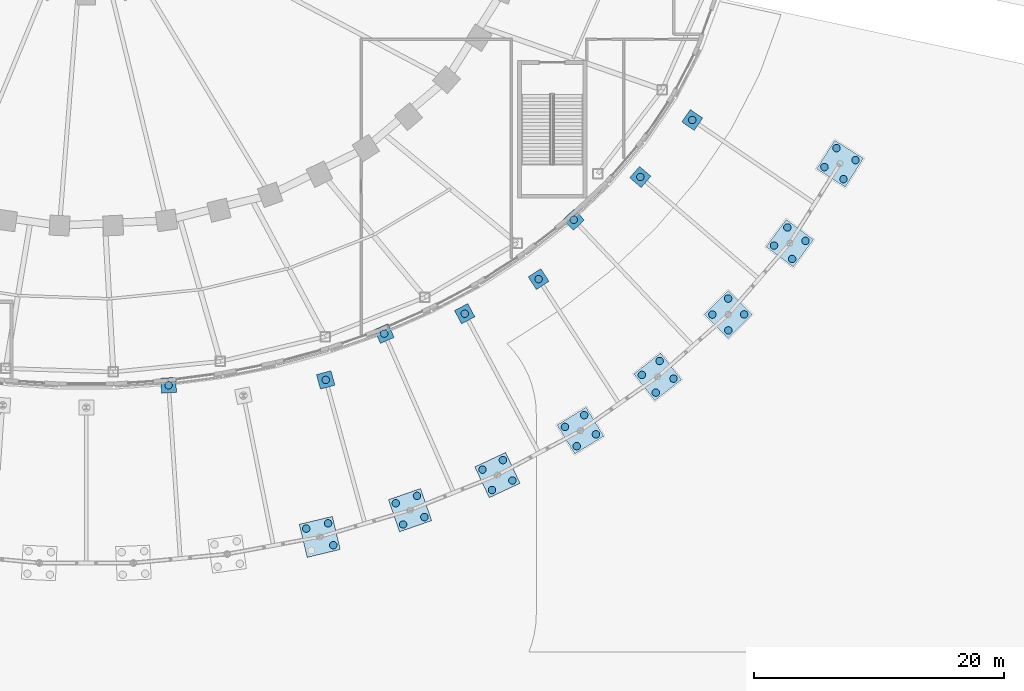
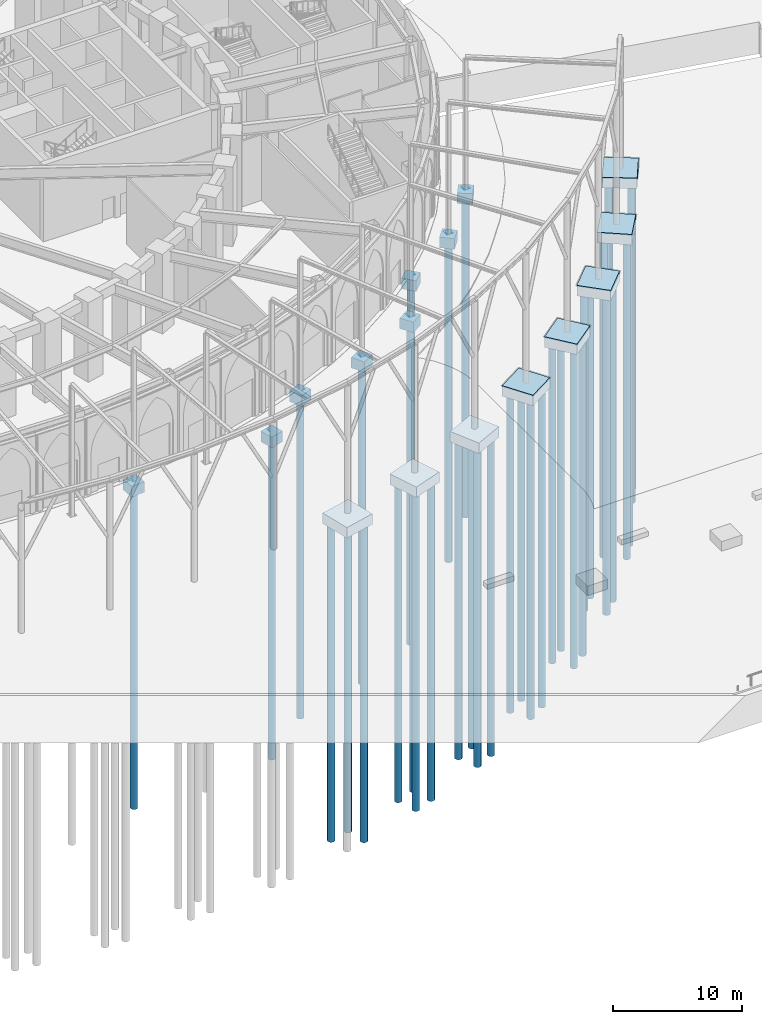
# One storey, part 2 of 79: 39 piles, 16 footings.
"""IFC4 building model written with IfcOpenShell, lengths in metres."""

import ifcopenshell
import ifcopenshell.guid

model = None  # the IFC model being written
_history = None  # IfcOwnerHistory: only IFC2X3 demands one
_inside = {}  # id of a spatial element -> (the spatial element, [elements in it])
_under = {}  # id of a project, library or spatial element -> (it, [spatial elements below it])
_declared = {}  # id of a project -> (the project, [libraries it declares])
_typed = {}  # id of a type object -> (the type object, [elements of that type])
_made_of = {}  # id of a material, layer set ... -> (it, [elements and type objects made of it])


def new_model(schema):
    """Start an empty IFC model of exactly this schema.

    Asked for "IFC4X3", IfcOpenShell would pick the latest addendum, in which some entities
    have other attributes; the version numbers below select the first issue.
    IFC2X3 requires an IfcOwnerHistory on every rooted entity: one is made here for all.
    """
    global model, _history
    if schema == "IFC4X3":
        model = ifcopenshell.file(schema_version=(4, 3, 0, 0))
    else:
        model = ifcopenshell.file(schema=schema)
    _inside.clear()
    _under.clear()
    _declared.clear()
    _typed.clear()
    _made_of.clear()
    _history = None
    if model.schema == "IFC2X3":
        org = make("IfcOrganization", Name="unknown")
        user = make(
            "IfcPersonAndOrganization",
            ThePerson=make("IfcPerson", FamilyName="unknown"),
            TheOrganization=org,
        )
        app = make(
            "IfcApplication",
            ApplicationDeveloper=org,
            Version="unknown",
            ApplicationFullName="unknown",
            ApplicationIdentifier="unknown",
        )
        _history = make(
            "IfcOwnerHistory",
            OwningUser=user,
            OwningApplication=app,
            ChangeAction="ADDED",
            CreationDate=0,
        )
    return model


def make(cls, **values):
    """One entity of the class cls with the attributes given. An attribute that is None is left unset."""
    return model.create_entity(
        cls, **{name: value for name, value in values.items() if value is not None}
    )


def rooted(cls, **values):
    """An entity with a GlobalId (a new one), such as an element, a storey or a relation."""
    return make(cls, GlobalId=ifcopenshell.guid.new(), OwnerHistory=_history, **values)


def si_unit(unit_type, name, prefix=None):
    """IfcSIUnit, for example si_unit("LENGTHUNIT", "METRE", prefix="MILLI")."""
    return make("IfcSIUnit", UnitType=unit_type, Prefix=prefix, Name=name)


def assignment(units):
    """IfcUnitAssignment: the units of a project."""
    return None if units is None else make("IfcUnitAssignment", Units=units)


def point(xyz):
    """IfcCartesianPoint."""
    return None if xyz is None else make("IfcCartesianPoint", Coordinates=xyz)


def direction(xyz):
    """IfcDirection."""
    return None if xyz is None else make("IfcDirection", DirectionRatios=xyz)


def frame(location, z_axis=None, x_axis=None):
    """IfcAxis2Placement3D, a coordinate frame: its origin and axes. An axis left out is left unset."""
    return make(
        "IfcAxis2Placement3D",
        Location=point(location),
        Axis=direction(z_axis),
        RefDirection=direction(x_axis),
    )


def frame_2d(location, x_axis=None):
    """IfcAxis2Placement2D, a coordinate frame in the plane: its origin and x axis."""
    return make(
        "IfcAxis2Placement2D", Location=point(location), RefDirection=direction(x_axis)
    )


def origin():
    """The frame at (0, 0, 0) with its axes left unset."""
    return frame((0.0, 0.0, 0.0))


def origin_2d():
    """The frame at (0, 0) in the plane with its x axis left unset."""
    return frame_2d((0.0, 0.0))


def place(relative_to, where):
    """IfcLocalPlacement: puts the frame where relative to a parent placement (None: the world)."""
    return make(
        "IfcLocalPlacement", PlacementRelTo=relative_to, RelativePlacement=where
    )


def context(
    kind, dimensions, precision=None, world=None, true_north=None, identifier=None
):
    """IfcGeometricRepresentationContext, for example the 3D "Model" context."""
    return make(
        "IfcGeometricRepresentationContext",
        ContextIdentifier=identifier,
        ContextType=kind,
        CoordinateSpaceDimension=dimensions,
        Precision=precision,
        WorldCoordinateSystem=world,
        TrueNorth=true_north,
    )


def subcontext(parent, identifier, kind, view, scale=None):
    """IfcGeometricRepresentationSubContext, for example "Body" below "Model"."""
    return make(
        "IfcGeometricRepresentationSubContext",
        ContextIdentifier=identifier,
        ContextType=kind,
        ParentContext=parent,
        TargetScale=scale,
        TargetView=view,
    )


def project(units=None, contexts=None):
    """IfcProject with its units and contexts."""
    return rooted(
        "IfcProject",
        Name="project",
        RepresentationContexts=contexts,
        UnitsInContext=assignment(units),
    )


def spatial(cls, under=None, at=None, **own):
    """A site, building, storey or space (cls), placed at a placement, below another one or the project."""
    s = rooted(cls, ObjectPlacement=at, **own)
    if under is not None:
        _under.setdefault(under.id(), (under, []))[1].append(s)
    return s


def polyline(points):
    """IfcPolyline through the points."""
    return make("IfcPolyline", Points=[point(p) for p in points])


def profile(cls, at=None, kind="AREA", **sizes):
    """A parametric profile (cls). Its sizes go by their IFC names, for example OverallWidth=200.0."""
    return make(cls, ProfileType=kind, Position=at, **sizes)


def circle(**sizes):
    """IfcCircleProfileDef."""
    return profile("IfcCircleProfileDef", **sizes)


def outline(outer, holes=None, kind="AREA"):
    """IfcArbitraryClosedProfileDef: a profile drawn as a closed curve; with holes, ...WithVoids."""
    if holes is None:
        return make("IfcArbitraryClosedProfileDef", ProfileType=kind, OuterCurve=outer)
    return make(
        "IfcArbitraryProfileDefWithVoids",
        ProfileType=kind,
        OuterCurve=outer,
        InnerCurves=holes,
    )


def extrude(swept, where, along, depth):
    """IfcExtrudedAreaSolid: the profile swept, set in the frame where, extruded along a direction by depth."""
    return make(
        "IfcExtrudedAreaSolid",
        SweptArea=swept,
        Position=where,
        ExtrudedDirection=direction(along),
        Depth=depth,
    )


def shape(context_of_items, identifier, shape_type, items):
    """IfcShapeRepresentation: the items that make up one representation, for example the "Body"."""
    return make(
        "IfcShapeRepresentation",
        ContextOfItems=context_of_items,
        RepresentationIdentifier=identifier,
        RepresentationType=shape_type,
        Items=items,
    )


def material(Name=None, Category=None):
    """IfcMaterial."""
    return make("IfcMaterial", Name=Name, Category=Category)


def layer(
    of_material, thickness, ventilated=None, Name=None, Category=None, Priority=None
):
    """IfcMaterialLayer: one layer of a wall or slab, of a material (None: an air gap)."""
    return make(
        "IfcMaterialLayer",
        Material=of_material,
        LayerThickness=thickness,
        IsVentilated=ventilated,
        Name=Name,
        Category=Category,
        Priority=Priority,
    )


def layer_set(layers, Name=None):
    """IfcMaterialLayerSet."""
    return make("IfcMaterialLayerSet", MaterialLayers=layers, LayerSetName=Name)


def material_profile(
    of_material, cross_section, Name=None, Category=None, Priority=None
):
    """IfcMaterialProfile: a cross section and its material."""
    return make(
        "IfcMaterialProfile",
        Name=Name,
        Material=of_material,
        Profile=cross_section,
        Priority=Priority,
        Category=Category,
    )


def profile_set(profiles, Name=None, composite=None):
    """IfcMaterialProfileSet."""
    return make(
        "IfcMaterialProfileSet",
        Name=Name,
        MaterialProfiles=profiles,
        CompositeProfile=composite,
    )


def made_of(thing, what):
    """Note that an element or type object is made of a material, layer set ...; save() writes the relation."""
    if what is not None:
        _made_of.setdefault(what.id(), (what, []))[1].append(thing)
    return thing


def type_object(cls, material=None, **own):
    """A type object (cls), such as IfcWallType, which elements share."""
    return made_of(rooted(cls, **own), material)


def element(
    cls,
    number,
    at=None,
    inside=None,
    cuts=None,
    type_object=None,
    material=None,
    context=None,
    identifier="Body",
    shape_type=None,
    held_by="IfcProductDefinitionShape",
    body=None,
    shapes=None,
    **own,
):
    """One element of the class cls, such as IfcWall. Its Tag is "e" and its number.

    at: its placement. inside: the storey or other place that contains it. cuts: it is an
    opening in that element (IfcRelVoidsElement). A single representation is given by context,
    identifier, shape_type and body (its items); several are given by shapes. held_by: the class
    of the entity that holds the representations. save() writes the other relations.
    """
    e = rooted(cls, Tag="e%d" % number, ObjectPlacement=at, **own)
    if body is not None:
        shapes = [shape(context, identifier, shape_type, body)]
    if shapes is not None:
        e.Representation = make(held_by, Representations=shapes)
    if inside is not None:
        _inside.setdefault(inside.id(), (inside, []))[1].append(e)
    if cuts is not None:
        rooted(
            "IfcRelVoidsElement", RelatingBuildingElement=cuts, RelatedOpeningElement=e
        )
    if type_object is not None:
        _typed.setdefault(type_object.id(), (type_object, []))[1].append(e)
    return made_of(e, material)


def aggregate(whole, parts):
    """IfcRelAggregates: a whole, such as a stair, and the parts it consists of."""
    return rooted("IfcRelAggregates", RelatingObject=whole, RelatedObjects=parts)


def save(model, path):
    """Write the relations noted so far, then the file.

    IfcRelAggregates (storeys below a building ...), IfcRelContainedInSpatialStructure (elements
    in a storey), IfcRelDefinesByType, IfcRelAssociatesMaterial and IfcRelDeclares: one each for
    every whole, place, type object, material and project.
    """
    for whole, parts in _under.values():
        aggregate(whole, parts)
    for where, things in _inside.values():
        rooted(
            "IfcRelContainedInSpatialStructure",
            RelatedElements=things,
            RelatingStructure=where,
        )
    for kind, things in _typed.values():
        rooted("IfcRelDefinesByType", RelatedObjects=things, RelatingType=kind)
    for what, things in _made_of.values():
        rooted("IfcRelAssociatesMaterial", RelatedObjects=things, RelatingMaterial=what)
    for by, libraries in _declared.values():
        rooted("IfcRelDeclares", RelatingContext=by, RelatedDefinitions=libraries)
    model.write(path)


model = new_model("IFC4")

# Units and contexts
model_context = context("Model", 3, precision=1e-05, world=origin(), true_north=direction((0.0, 1.0)))
body_context = subcontext(model_context, "Body", "Model", "MODEL_VIEW")
ifc_project = project(units=[si_unit("LENGTHUNIT", "METRE"), si_unit("AREAUNIT", "SQUARE_METRE"), si_unit("VOLUMEUNIT", "CUBIC_METRE"), si_unit("PLANEANGLEUNIT", "RADIAN"), si_unit("MASSUNIT", "GRAM", prefix="KILO")], contexts=[model_context])

# Site, building, storey
site_placement = place(None, origin())
site = spatial("IfcSite", under=ifc_project, at=site_placement, CompositionType="ELEMENT")
building_placement = place(site_placement, origin())
building = spatial("IfcBuilding", under=site, at=building_placement, Name="Noorbagh Ring Tower", CompositionType="ELEMENT")
storey_placement = place(building_placement, origin())
storey = spatial("IfcBuildingStorey", under=building, at=storey_placement, Name="L00", CompositionType="ELEMENT", Elevation=0.0)

# Footings
ifc_material_1 = material(Name="Concrete C50/60", Category="concrete")
ifc_layer_1 = layer(ifc_material_1, 1.0)
ifc_layer_set_1 = layer_set([ifc_layer_1], Name="Concrete C50/60")
footing_type_1 = type_object("IfcFootingType", Name="GND-CANOPY-CAP", PredefinedType="PILE_CAP", material=ifc_layer_set_1)
footing_1_placement = place(storey_placement, frame((0.0, 0.0, -1.14990234375)))
element("IfcFooting", 1, at=footing_1_placement, inside=storey, type_object=footing_type_1, Name="Canopy trunk 13 cap", PredefinedType="PILE_CAP", context=body_context, shape_type="SweptSolid", body=[
    extrude(outline(polyline([(17.671142578125, -53.448486328125), (20.316162109375, -52.813720703125), (19.681396484375, -50.168701171875), (17.03662109375, -50.803466796875), (17.671142578125, -53.448486328125)])), origin(), (0.0, 0.0, 1.0), 1.0),
])
footing_2_placement = place(storey_placement, frame((0.0, 0.0, -1.14990234375)))
element("IfcFooting", 2, at=footing_2_placement, inside=storey, type_object=footing_type_1, Name="Canopy trunk 14 cap", PredefinedType="PILE_CAP", context=body_context, shape_type="SweptSolid", body=[
    extrude(outline(polyline([(25.0634765625, -51.402587890625), (27.63232421875, -50.5087890625), (26.73876953125, -47.93994140625), (24.169677734375, -48.833740234375), (25.0634765625, -51.402587890625)])), origin(), (0.0, 0.0, 1.0), 1.0),
])
footing_3_placement = place(storey_placement, frame((0.0, 0.0, -1.14990234375)))
element("IfcFooting", 3, at=footing_3_placement, inside=storey, type_object=footing_type_1, Name="Canopy trunk 15 cap", PredefinedType="PILE_CAP", context=body_context, shape_type="SweptSolid", body=[
    extrude(outline(polyline([(32.23486328125, -48.670654296875), (34.699462890625, -47.52001953125), (33.548828125, -45.055419921875), (31.084228515625, -46.2060546875), (32.23486328125, -48.670654296875)])), origin(), (0.0, 0.0, 1.0), 1.0),
])
footing_4_placement = place(storey_placement, frame((0.0, 0.0, -1.14990234375)))
element("IfcFooting", 4, at=footing_4_placement, inside=storey, type_object=footing_type_1, Name="Canopy trunk 16 cap", PredefinedType="PILE_CAP", context=body_context, shape_type="SweptSolid", body=[
    extrude(outline(polyline([(39.08447265625, -45.177001953125), (41.4033203125, -43.755126953125), (39.981201171875, -41.4365234375), (37.66259765625, -42.8583984375), (39.08447265625, -45.177001953125)])), origin(), (0.0, 0.0, 1.0), 1.0),
])
footing_5_placement = place(storey_placement, frame((0.0, 0.0, -1.14990234375)))
element("IfcFooting", 5, at=footing_5_placement, inside=storey, type_object=footing_type_1, Name="Canopy trunk 17 cap", PredefinedType="PILE_CAP", context=body_context, shape_type="SweptSolid", body=[
    extrude(outline(polyline([(45.48388671875, -40.910400390625), (47.62255859375, -39.229736328125), (45.94189453125, -37.09130859375), (43.80322265625, -38.77197265625), (45.48388671875, -40.910400390625)])), origin(), (0.0, 0.0, 1.0), 1.0),
])
footing_6_placement = place(storey_placement, frame((0.0, 0.0, -1.14990234375)))
element("IfcFooting", 6, at=footing_6_placement, inside=storey, type_object=footing_type_1, Name="Canopy trunk 18 cap", PredefinedType="PILE_CAP", context=body_context, shape_type="SweptSolid", body=[
    extrude(outline(polyline([(51.367919921875, -35.9375), (53.280517578125, -34.003173828125), (51.34619140625, -32.0908203125), (49.433837890625, -34.025146484375), (51.367919921875, -35.9375)])), origin(), (0.0, 0.0, 1.0), 1.0),
])
footing_7_placement = place(storey_placement, frame((0.0, 0.0, -1.14990234375)))
element("IfcFooting", 7, at=footing_7_placement, inside=storey, type_object=footing_type_1, Name="Canopy trunk 19 cap", PredefinedType="PILE_CAP", context=body_context, shape_type="SweptSolid", body=[
    extrude(outline(polyline([(56.562255859375, -30.2158203125), (58.181640625, -28.0302734375), (55.99609375, -26.410888671875), (54.376708984375, -28.596435546875), (56.562255859375, -30.2158203125)])), origin(), (0.0, 0.0, 1.0), 1.0),
])
footing_8_placement = place(storey_placement, frame((0.0, 0.0, -1.14990234375)))
element("IfcFooting", 8, at=footing_8_placement, inside=storey, type_object=footing_type_1, Name="Canopy trunk 20 cap", PredefinedType="PILE_CAP", context=body_context, shape_type="SweptSolid", body=[
    extrude(outline(polyline([(60.72216796875, -23.822509765625), (62.173828125, -21.5224609375), (59.873779296875, -20.07080078125), (58.422119140625, -22.370849609375), (60.72216796875, -23.822509765625)])), origin(), (0.0, 0.0, 1.0), 1.0),
])

# Piles
ifc_material_2 = material(Name="Concrete C50/60", Category="concrete")
ifc_material_profile = material_profile(ifc_material_2, circle(Radius=0.300048828125, at=origin_2d()), Name="PILE600")
ifc_profile_set = profile_set([ifc_material_profile], Name="Concrete C50/60")
pile_type = type_object("IfcPileType", Name="GND-CANOPY-PILE", PredefinedType="BORED", material=ifc_profile_set)
for number, where, z_axis, x_axis, name in (
    (9, (19.761474609375, -52.473876953125, -1.050048828125), (0.0, 0.0, -1.0), (1.0, 0.0, 0.0), "L00/pile/CT13-2"),
    (10, (19.341552734375, -50.723388671875, -1.050048828125), (0.0, 0.0, -1.0), (1.0, 0.0, 0.0), "L00/pile/CT13-3"),
    (11, (17.59130859375, -51.143310546875, -1.050048828125), (0.0, 0.0, -1.0), (1.0, 0.0, 0.0), "L00/pile/CT13-4"),
    (12, (25.3466796875, -50.81689453125, -1.050048828125), (0.0, 0.0, -1.0), (1.0, 0.0, 0.0), "L00/pile/CT14-1"),
    (13, (27.046875, -50.2255859375, -1.050048828125), (0.0, 0.0, -1.0), (1.0, 0.0, 0.0), "L00/pile/CT14-2"),
    (14, (26.455322265625, -48.525390625, -1.050048828125), (0.0, 0.0, -1.0), (1.0, 0.0, 0.0), "L00/pile/CT14-3"),
    (15, (24.75537109375, -49.116943359375, -1.050048828125), (0.0, 0.0, -1.0), (1.0, 0.0, 0.0), "L00/pile/CT14-4"),
    (16, (32.45703125, -48.059326171875, -1.050048828125), (0.0, 0.0, -1.0), (1.0, 0.0, 0.0), "L00/pile/CT15-1"),
    (17, (34.088134765625, -47.2978515625, -1.050048828125), (0.0, 0.0, -1.0), (1.0, 0.0, 0.0), "L00/pile/CT15-2"),
    (18, (33.32666015625, -45.666748046875, -1.050048828125), (0.0, 0.0, -1.0), (1.0, 0.0, 0.0), "L00/pile/CT15-3"),
    (19, (31.695556640625, -46.42822265625, -1.050048828125), (0.0, 0.0, -1.0), (1.0, 0.0, 0.0), "L00/pile/CT15-4"),
    (20, (39.236083984375, -44.54443359375, -1.050048828125), (0.0, 0.0, -1.0), (1.0, 0.0, 0.0), "L00/pile/CT16-1"),
    (21, (40.7705078125, -43.603515625, -1.050048828125), (0.0, 0.0, -1.0), (1.0, 0.0, 0.0), "L00/pile/CT16-2"),
    (22, (39.82958984375, -42.069091796875, -1.050048828125), (0.0, 0.0, -1.0), (1.0, 0.0, 0.0), "L00/pile/CT16-3"),
    (23, (38.295166015625, -43.010009765625, -1.050048828125), (0.0, 0.0, -1.0), (1.0, 0.0, 0.0), "L00/pile/CT16-4"),
    (24, (45.561279296875, -40.2646484375, -1.050048828125), (0.0, 0.0, -1.0), (1.0, 0.0, 0.0), "L00/pile/CT17-1"),
    (25, (46.9765625, -39.15234375, -1.050048828125), (0.0, 0.0, -1.0), (1.0, 0.0, 0.0), "L00/pile/CT17-2"),
    (26, (45.8642578125, -37.737060546875, -1.050048828125), (0.0, 0.0, -1.0), (1.0, 0.0, 0.0), "L00/pile/CT17-3"),
    (27, (44.44921875, -38.849365234375, -1.050048828125), (0.0, 0.0, -1.0), (1.0, 0.0, 0.0), "L00/pile/CT17-4"),
    (28, (51.3642578125, -35.286865234375, -1.050048828125), (0.0, 0.0, -1.0), (1.0, 0.0, 0.0), "L00/pile/CT18-1"),
    (29, (52.6298828125, -34.0068359375, -1.050048828125), (0.0, 0.0, -1.0), (1.0, 0.0, 0.0), "L00/pile/CT18-2"),
    (30, (51.349853515625, -32.7412109375, -1.050048828125), (0.0, 0.0, -1.0), (1.0, 0.0, 0.0), "L00/pile/CT18-3"),
    (31, (50.084228515625, -34.021240234375, -1.050048828125), (0.0, 0.0, -1.0), (1.0, 0.0, 0.0), "L00/pile/CT18-4"),
    (32, (56.466552734375, -29.572265625, -1.050048828125), (0.0, 0.0, -1.0), (1.0, 0.0, 0.0), "L00/pile/CT19-1"),
    (33, (57.5380859375, -28.1259765625, -1.050048828125), (0.0, 0.0, -1.0), (1.0, 0.0, 0.0), "L00/pile/CT19-2"),
    (34, (56.091796875, -27.054443359375, -1.050048828125), (0.0, 0.0, -1.0), (1.0, 0.0, 0.0), "L00/pile/CT19-3"),
    (35, (55.020263671875, -28.50048828125, -1.050048828125), (0.0, 0.0, -1.0), (1.0, 0.0, 0.0), "L00/pile/CT19-4"),
    (36, (60.57861328125, -23.18798828125, -1.050048828125), (0.0, 0.0, -1.0), (1.0, 0.0, 0.0), "L00/pile/CT20-1"),
    (37, (61.539306640625, -21.666015625, -1.050048828125), (0.0, 0.0, -1.0), (1.0, 0.0, 0.0), "L00/pile/CT20-2"),
    (38, (60.017333984375, -20.705078125, -1.050048828125), (0.0, 0.0, -1.0), (1.0, 0.0, 0.0), "L00/pile/CT20-3"),
    (39, (59.056396484375, -22.227294921875, -1.050048828125), (0.0, 0.0, -1.0), (1.0, 0.0, 0.0), "L00/pile/CT20-4"),
    (40, (6.57861328125, -39.67822265625, -1.050048828125), (0.0, 0.0, -1.0), (1.0, 0.0, 0.0), "L00/pile/CP11-1"),
    (41, (19.1513671875, -39.24951171875, -1.050048828125), (0.0, 0.0, -1.0), (1.0, 0.0, 0.0), "L00/pile/CP13-1"),
    (42, (23.83544921875, -35.54248046875, -1.050048828125), (0.0, 0.0, -1.0), (1.0, 0.0, 0.0), "L00/pile/CP14-1"),
    (43, (30.27001953125, -33.952880859375, -1.050048828125), (0.0, 0.0, -1.0), (1.0, 0.0, 0.0), "L00/pile/CP15-1"),
    (44, (36.18408203125, -31.1845703125, -1.050048828125), (0.0, 0.0, -1.0), (1.0, 0.0, 0.0), "L00/pile/CP16-1"),
    (45, (38.998779296875, -26.435302734375, -1.050048828125), (0.0, 0.0, -1.0), (1.0, 0.0, 0.0), "L00/pile/CP17-1"),
    (46, (44.3251953125, -23.014404296875, -1.050048828125), (0.0, 0.0, -1.0), (1.0, 0.0, 0.0), "L00/pile/CP18-1"),
    (47, (48.478759765625, -18.452392578125, -1.050048828125), (0.0, 0.0, -1.0), (1.0, 0.0, 0.0), "L00/pile/CP19-1"),
):
    element("IfcPile", number, at=place(storey_placement, frame(where, z_axis=z_axis, x_axis=x_axis)), inside=storey, type_object=pile_type, Name=name, PredefinedType="BORED", context=body_context, shape_type="SweptSolid", body=[
        extrude(circle(Radius=0.300048828125, at=origin_2d()), origin(), (0.0, 0.0, 1.0), 30.0),
    ])

# Footings
ifc_material_3 = material(Name="Concrete C50/60", Category="concrete")
ifc_layer_2 = layer(ifc_material_3, 1.0)
ifc_layer_set_2 = layer_set([ifc_layer_2], Name="Concrete C50/60")
footing_type_2 = type_object("IfcFootingType", Name="GND-LINK-POST-CAP", PredefinedType="PILE_CAP", material=ifc_layer_set_2)
footing_9_placement = place(storey_placement, frame((0.0, 0.0, -1.14990234375)))
element("IfcFooting", 48, at=footing_9_placement, inside=storey, type_object=footing_type_2, Name="Canopy link post 11 cap", PredefinedType="PILE_CAP", context=body_context, shape_type="SweptSolid", body=[
    extrude(outline(polyline([(7.13671875, -39.039306640625), (7.2177734375, -40.236328125), (6.0205078125, -40.3173828125), (5.939453125, -39.120361328125), (7.13671875, -39.039306640625)])), origin(), (0.0, 0.0, 1.0), 1.0),
])
footing_10_placement = place(storey_placement, frame((0.0, 0.0, -1.14990234375)))
element("IfcFooting", 49, at=footing_10_placement, inside=storey, type_object=footing_type_2, Name="Canopy link post 13 cap", PredefinedType="PILE_CAP", context=body_context, shape_type="SweptSolid", body=[
    extrude(outline(polyline([(19.572265625, -38.5126953125), (19.88818359375, -39.670166015625), (18.730712890625, -39.986328125), (18.41455078125, -38.82861328125), (19.572265625, -38.5126953125)])), origin(), (0.0, 0.0, 1.0), 1.0),
])
footing_11_placement = place(storey_placement, frame((0.0, 0.0, -1.14990234375)))
element("IfcFooting", 50, at=footing_11_placement, inside=storey, type_object=footing_type_2, Name="Canopy link post 14 cap", PredefinedType="PILE_CAP", context=body_context, shape_type="SweptSolid", body=[
    extrude(outline(polyline([(24.14501953125, -34.75244140625), (24.62548828125, -35.85205078125), (23.52587890625, -36.33251953125), (23.04541015625, -35.23291015625), (24.14501953125, -34.75244140625)])), origin(), (0.0, 0.0, 1.0), 1.0),
])
footing_12_placement = place(storey_placement, frame((0.0, 0.0, -1.14990234375)))
element("IfcFooting", 51, at=footing_12_placement, inside=storey, type_object=footing_type_2, Name="Canopy link post 15 cap", PredefinedType="PILE_CAP", context=body_context, shape_type="SweptSolid", body=[
    extrude(outline(polyline([(30.516845703125, -33.14111328125), (31.08203125, -34.19970703125), (30.0234375, -34.7646484375), (29.458251953125, -33.7060546875), (30.516845703125, -33.14111328125)])), origin(), (0.0, 0.0, 1.0), 1.0),
])
footing_13_placement = place(storey_placement, frame((0.0, 0.0, -1.14990234375)))
element("IfcFooting", 52, at=footing_13_placement, inside=storey, type_object=footing_type_2, Name="Canopy link post 16 cap", PredefinedType="PILE_CAP", context=body_context, shape_type="SweptSolid", body=[
    extrude(outline(polyline([(36.362548828125, -30.35498046875), (37.013671875, -31.363037109375), (36.005615234375, -32.013916015625), (35.3544921875, -31.006103515625), (36.362548828125, -30.35498046875)])), origin(), (0.0, 0.0, 1.0), 1.0),
])
footing_14_placement = place(storey_placement, frame((0.0, 0.0, -1.14990234375)))
element("IfcFooting", 53, at=footing_14_placement, inside=storey, type_object=footing_type_2, Name="Canopy link post 17 cap", PredefinedType="PILE_CAP", context=body_context, shape_type="SweptSolid", body=[
    extrude(outline(polyline([(39.022216796875, -25.5869140625), (39.84716796875, -26.45849609375), (38.9755859375, -27.283447265625), (38.150634765625, -26.412109375), (39.022216796875, -25.5869140625)])), origin(), (0.0, 0.0, 1.0), 1.0),
])
footing_15_placement = place(storey_placement, frame((0.0, 0.0, -1.14990234375)))
element("IfcFooting", 54, at=footing_15_placement, inside=storey, type_object=footing_type_2, Name="Canopy link post 18 cap", PredefinedType="PILE_CAP", context=body_context, shape_type="SweptSolid", body=[
    extrude(outline(polyline([(44.2607421875, -22.168212890625), (45.17138671875, -22.94970703125), (44.3896484375, -23.8603515625), (43.47900390625, -23.07861328125), (44.2607421875, -22.168212890625)])), origin(), (0.0, 0.0, 1.0), 1.0),
])
footing_16_placement = place(storey_placement, frame((0.0, 0.0, -1.14990234375)))
element("IfcFooting", 55, at=footing_16_placement, inside=storey, type_object=footing_type_2, Name="Canopy link post 19 cap", PredefinedType="PILE_CAP", context=body_context, shape_type="SweptSolid", body=[
    extrude(outline(polyline([(48.3203125, -17.618896484375), (49.3125, -18.294189453125), (48.63720703125, -19.2861328125), (47.64501953125, -18.61083984375), (48.3203125, -17.618896484375)])), origin(), (0.0, 0.0, 1.0), 1.0),
])

save(model, "model.ifc")
